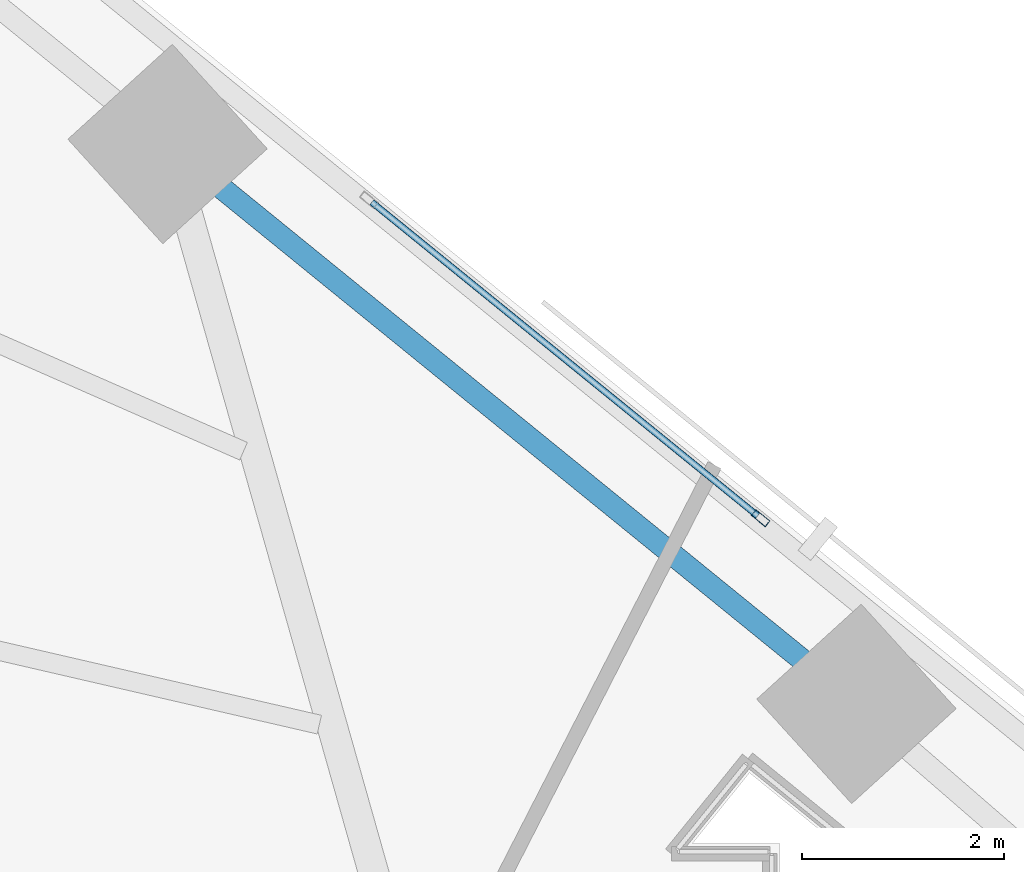
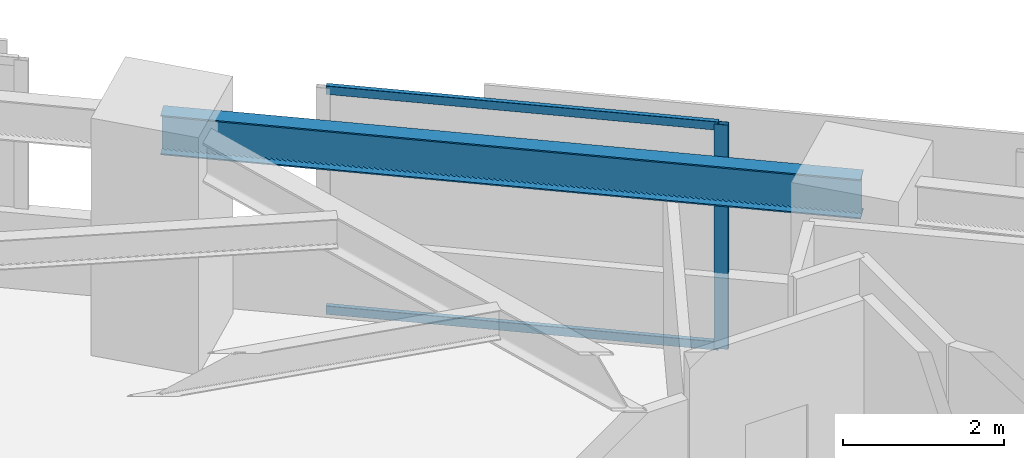
# One storey, part 11 of 17: 3 members, 1 beam, 1 element without a shape of its own.
"""IFC4 building model written with IfcOpenShell, lengths in metres."""

from ifc_helpers import new_model, si_unit, direction, frame, origin, origin_2d, place, context, subcontext, project, spatial, hollow_rectangle, i_section, extrude, material, material_profile, profile_set, type_object, element, aggregate, save


model = new_model("IFC4")

# Units and contexts
model_context = context("Model", 3, precision=1e-05, world=origin(), true_north=direction((0.0, 1.0)))
body_context = subcontext(model_context, "Body", "Model", "MODEL_VIEW")
ifc_project = project(units=[si_unit("LENGTHUNIT", "METRE"), si_unit("AREAUNIT", "SQUARE_METRE"), si_unit("VOLUMEUNIT", "CUBIC_METRE"), si_unit("PLANEANGLEUNIT", "RADIAN"), si_unit("MASSUNIT", "GRAM", prefix="KILO")], contexts=[model_context])

# Site, building, storey
site_placement = place(None, origin())
site = spatial("IfcSite", under=ifc_project, at=site_placement, CompositionType="ELEMENT")
building_placement = place(site_placement, origin())
building = spatial("IfcBuilding", under=site, at=building_placement, Name="Narakoshi Arena Tower", CompositionType="ELEMENT")
storey_placement = place(building_placement, frame((0.0, 0.0, 30.300048828125)))
storey = spatial("IfcBuildingStorey", under=building, at=storey_placement, Name="L07", CompositionType="ELEMENT", Elevation=30.300048828125)

# Beam
ifc_material_1 = material(Name="Structural steel S355J2", Category="steel")
ifc_material_profile_1 = material_profile(ifc_material_1, i_section(OverallWidth=0.219970703125, OverallDepth=0.60009765625, WebThickness=0.011962890625, FlangeThickness=0.01904296875, FilletRadius=0.02392578125, at=origin_2d()), Name="IPE600")
ifc_profile_set_1 = profile_set([ifc_material_profile_1], Name="Structural steel S355J2")
beam_type = type_object("IfcBeamType", Name="BM-EDGE-600", PredefinedType="BEAM", material=ifc_profile_set_1)
beam_placement = place(storey_placement, frame((89.459716796875, 61.28515625, 3.099853515625), z_axis=(-0.776011365227, 0.630718923958, 0.0), x_axis=(-0.630718923958, -0.776011365227, 0.0)))
element("IfcBeam", 1, at=beam_placement, inside=storey, type_object=beam_type, Name="L07 Perimeter Edge Girder 09", PredefinedType="BEAM", context=body_context, shape_type="SweptSolid", body=[
    extrude(i_section(OverallWidth=0.219970703125, OverallDepth=0.60009765625, WebThickness=0.011962890625, FlangeThickness=0.01904296875, FilletRadius=0.02392578125, at=origin_2d()), origin(), (0.0, 0.0, 1.0), 8.804931640625),
])

# Curtain wall, members
ifc_material_2 = material(Name="Anodised bronze aluminium 6063-T6", Category="aluminium")
curtain_wall_type = type_object("IfcCurtainWallType", Name="CW-HYP-LOW", PredefinedType="NOTDEFINED", material=ifc_material_2)
curtain_wall_placement = place(storey_placement, origin())
curtain_wall = element("IfcCurtainWall", 2, at=curtain_wall_placement, inside=storey, type_object=curtain_wall_type, Name="L07 Folded Hypotenuse Curtain Wall 2-2", PredefinedType="NOTDEFINED")
ifc_material_profile_2 = material_profile(ifc_material_2, hollow_rectangle(XDim=0.074951171875, YDim=0.179931640625, WallThickness=0.00390625, OuterFilletRadius=0.0048828125, at=origin_2d()), Name="MUL180x75x4")
ifc_profile_set_2 = profile_set([ifc_material_profile_2], Name="Anodised bronze aluminium 6063-T6")
member_type_1 = type_object("IfcMemberType", Name="MEM-MUL-180", PredefinedType="MULLION", material=ifc_profile_set_2)
member_1_placement = place(storey_placement, frame((88.509521484375, 63.126953125, 0.0), z_axis=(0.0, 0.0, 1.0), x_axis=(-0.630734833051, -0.775998434519, 0.0)))
member_1 = element("IfcMember", 3, at=member_1_placement, type_object=member_type_1, Name="CW-01 mullion 1", PredefinedType="MULLION", context=body_context, shape_type="SweptSolid", body=[
    extrude(hollow_rectangle(XDim=0.074951171875, YDim=0.179931640625, WallThickness=0.00390625, OuterFilletRadius=0.0048828125, at=origin_2d()), origin(), (0.0, 0.0, 1.0), 3.39990234375),
])
ifc_material_profile_3 = material_profile(ifc_material_2, hollow_rectangle(XDim=0.06494140625, YDim=0.1298828125, WallThickness=0.00390625, OuterFilletRadius=0.0048828125, at=origin_2d()), Name="TRN130x65x4")
ifc_profile_set_3 = profile_set([ifc_material_profile_3], Name="Anodised bronze aluminium 6063-T6")
member_type_2 = type_object("IfcMemberType", Name="MEM-TRN-130", PredefinedType="USERDEFINED", material=ifc_profile_set_3)
member_2_placement = place(storey_placement, frame((88.48046875, 63.150634765625, 0.032470703125), z_axis=(-0.776001951686, 0.630730505826, 0.0), x_axis=(-0.630730505826, -0.776001951686, 0.0)))
member_2 = element("IfcMember", 4, at=member_2_placement, type_object=member_type_2, Name="CW-01 transom 1.1", ObjectType="TRANSOM", PredefinedType="USERDEFINED", context=body_context, shape_type="SweptSolid", body=[
    extrude(hollow_rectangle(XDim=0.06494140625, YDim=0.1298828125, WallThickness=0.00390625, OuterFilletRadius=0.0048828125, at=origin_2d()), origin(), (0.0, 0.0, 1.0), 4.9326171875),
])
member_3_placement = place(storey_placement, frame((88.48046875, 63.150634765625, 3.367431640625), z_axis=(-0.776001951686, 0.630730505826, 0.0), x_axis=(-0.630730505826, -0.776001951686, 0.0)))
member_3 = element("IfcMember", 5, at=member_3_placement, type_object=member_type_2, Name="CW-01 transom 1.2", ObjectType="TRANSOM", PredefinedType="USERDEFINED", context=body_context, shape_type="SweptSolid", body=[
    extrude(hollow_rectangle(XDim=0.06494140625, YDim=0.1298828125, WallThickness=0.00390625, OuterFilletRadius=0.0048828125, at=origin_2d()), origin(), (0.0, 0.0, 1.0), 4.9326171875),
])
aggregate(curtain_wall, [member_1, member_2, member_3])

save(model, "model.ifc")
